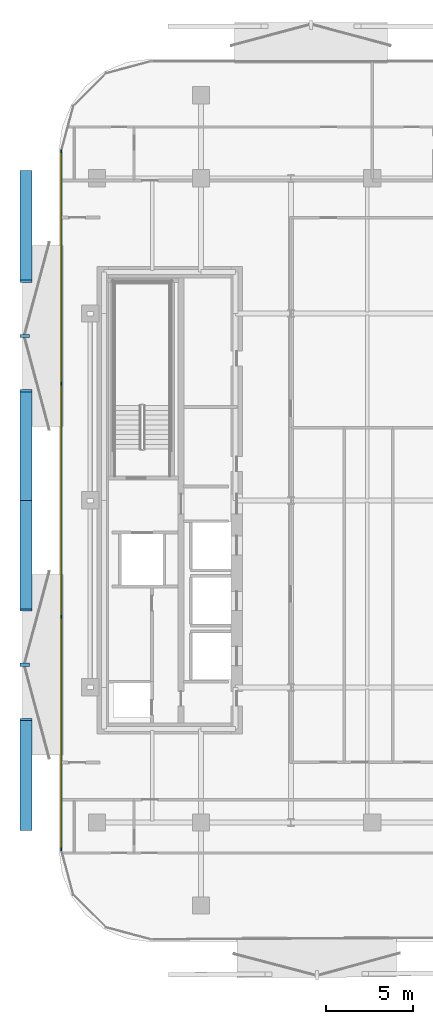
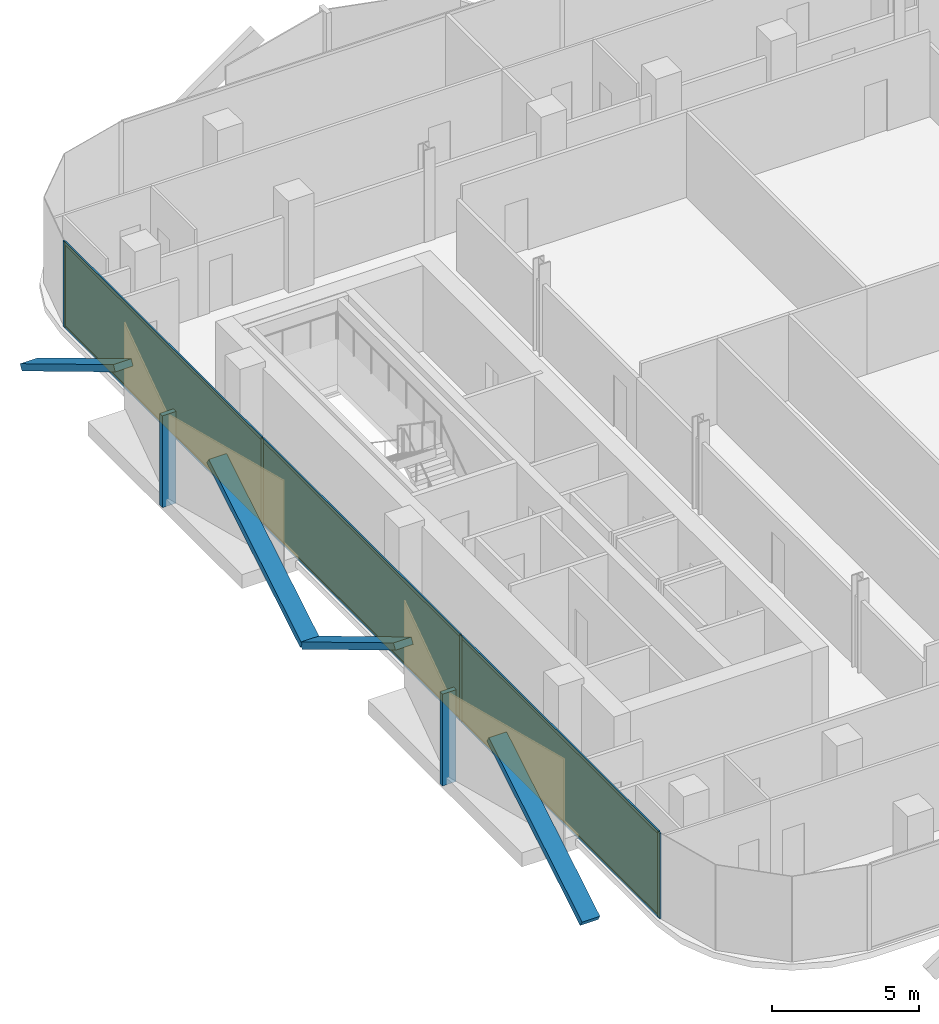
# One storey, part 9 of 16: 16 members, 3 plates, 1 curtain wall.
"""IFC4 building model written with IfcOpenShell, lengths in metres."""

from ifc_helpers import new_model, si_unit, direction, frame, frame_2d, origin, origin_2d, place, context, subcontext, project, spatial, rectangle, extrude, material, layer, layer_set, material_profile, profile_set, type_object, element, aggregate, save


model = new_model("IFC4")

# Units and contexts
model_context = context("Model", 3, precision=1e-05, world=origin(), true_north=direction((0.0, 1.0)))
body_context = subcontext(model_context, "Body", "Model", "MODEL_VIEW")
ifc_project = project(units=[si_unit("LENGTHUNIT", "METRE"), si_unit("AREAUNIT", "SQUARE_METRE"), si_unit("VOLUMEUNIT", "CUBIC_METRE"), si_unit("PLANEANGLEUNIT", "RADIAN"), si_unit("MASSUNIT", "GRAM", prefix="KILO")], contexts=[model_context])

# Member
ifc_material_1 = material(Name="Anodised Bronze Aluminium 6063-T6", Category="aluminium")
ifc_material_profile_1 = material_profile(ifc_material_1, rectangle(XDim=0.260009765625, YDim=0.699951171875, at=origin_2d()))
ifc_profile_set_1 = profile_set([ifc_material_profile_1], Name="Anodised Bronze Aluminium 6063-T6")
member_type_1 = type_object("IfcMemberType", Name="Bronze Diamond Solar-Screen Lattice Rib BDL-700", PredefinedType="MULLION", material=ifc_profile_set_1)
site_placement = place(None, origin())
building_placement = place(site_placement, origin())
storey_placement = place(building_placement, frame((0.0, 0.0, 206.800048828125)))
member_1_placement = place(storey_placement, frame((-24.5, -18.99072265625, -0.130126953125), z_axis=(0.0, 0.857382035675, 0.514680527027), x_axis=(0.0, -0.514680527027, 0.857382035675)))
member_1 = element("IfcMember", 1, at=member_1_placement, type_object=member_type_1, Name="L48 Bronze Diamond Solar Screen Lattice Rib 323A", PredefinedType="MULLION", context=body_context, shape_type="SweptSolid", body=[
    extrude(rectangle(XDim=0.260009765625, YDim=0.699951171875, at=origin_2d()), origin(), (0.0, 0.0, 1.0), 7.38330078125),
])

member_2_placement = place(storey_placement, frame((-24.5, 0.0, -0.130126953125), z_axis=(0.0, -0.857382035675, 0.514680527027), x_axis=(0.0, 0.514680527027, 0.857382035675)))
member_2 = element("IfcMember", 2, at=member_2_placement, type_object=member_type_1, Name="L48 Bronze Diamond Solar Screen Lattice Rib 323B", PredefinedType="MULLION", context=body_context, shape_type="SweptSolid", body=[
    extrude(rectangle(XDim=0.260009765625, YDim=0.699951171875, at=origin_2d()), origin(), (0.0, 0.0, 1.0), 7.38330078125),
])

member_3_placement = place(storey_placement, frame((-24.5, 0.0, -0.130126953125), z_axis=(0.0, 0.857382035675, 0.514680527027), x_axis=(0.0, -0.514680527027, 0.857382035675)))
member_3 = element("IfcMember", 3, at=member_3_placement, type_object=member_type_1, Name="L48 Bronze Diamond Solar Screen Lattice Rib 324A", PredefinedType="MULLION", context=body_context, shape_type="SweptSolid", body=[
    extrude(rectangle(XDim=0.260009765625, YDim=0.699951171875, at=origin_2d()), origin(), (0.0, 0.0, 1.0), 7.38330078125),
])

member_4_placement = place(storey_placement, frame((-24.5, 18.99072265625, -0.130126953125), z_axis=(0.0, -0.857382035675, 0.514680527027), x_axis=(0.0, 0.514680527027, 0.857382035675)))
member_4 = element("IfcMember", 4, at=member_4_placement, type_object=member_type_1, Name="L48 Bronze Diamond Solar Screen Lattice Rib 324B", PredefinedType="MULLION", context=body_context, shape_type="SweptSolid", body=[
    extrude(rectangle(XDim=0.260009765625, YDim=0.699951171875, at=origin_2d()), origin(), (0.0, 0.0, 1.0), 7.38330078125),
])

ifc_material_2 = material(Name="Anodised Bronze Aluminium 6063-T6", Category="aluminium")
ifc_material_profile_2 = material_profile(ifc_material_2, rectangle(XDim=0.179931640625, YDim=0.5400390625, at=origin_2d()))
ifc_profile_set_2 = profile_set([ifc_material_profile_2], Name="Anodised Bronze Aluminium 6063-T6")
member_type_2 = type_object("IfcMemberType", Name="Bronze Solar-Screen Vertical Fold Fin BSF-540", PredefinedType="MULLION", material=ifc_profile_set_2)
member_5_placement = place(storey_placement, frame((-24.580078125, -9.495361328125, -0.130126953125), z_axis=(0.0, 0.0, 1.0), x_axis=(0.0, 1.0, 0.0)))
member_5 = element("IfcMember", 5, at=member_5_placement, type_object=member_type_2, Name="L48 Bronze Solar Screen Vertical Fin 323", PredefinedType="MULLION", context=body_context, shape_type="SweptSolid", body=[
    extrude(rectangle(XDim=0.179931640625, YDim=0.5400390625, at=origin_2d()), origin(), (0.0, 0.0, 1.0), 3.800048828125),
])

member_6_placement = place(storey_placement, frame((-24.580078125, 9.495361328125, -0.130126953125), z_axis=(0.0, 0.0, 1.0), x_axis=(0.0, 1.0, 0.0)))
member_6 = element("IfcMember", 6, at=member_6_placement, type_object=member_type_2, Name="L48 Bronze Solar Screen Vertical Fin 324", PredefinedType="MULLION", context=body_context, shape_type="SweptSolid", body=[
    extrude(rectangle(XDim=0.179931640625, YDim=0.5400390625, at=origin_2d()), origin(), (0.0, 0.0, 1.0), 3.800048828125),
])

ifc_material_3 = material(Name="Anodised Bronze Aluminium 6063-T6", Category="aluminium")
ifc_material_profile_3 = material_profile(ifc_material_3, rectangle(XDim=0.06005859375, YDim=0.1650390625, at=origin_2d()))
ifc_profile_set_3 = profile_set([ifc_material_profile_3], Name="Anodised Bronze Aluminium 6063-T6")
member_type_3 = type_object("IfcMemberType", Name="CW-Z3 Mullion 60x165", PredefinedType="MULLION", material=ifc_profile_set_3)
member_7_placement = place(storey_placement, frame((-22.4599609375, -20.160888671875, 0.0), z_axis=(0.0, 0.0, 1.0), x_axis=(-1.0, 0.0, 0.0)))
member_7 = element("IfcMember", 7, at=member_7_placement, type_object=member_type_3, Name="CW-Z3 mullion 1", PredefinedType="MULLION", context=body_context, shape_type="SweptSolid", body=[
    extrude(rectangle(XDim=0.06005859375, YDim=0.1650390625, at=origin_2d()), origin(), (0.0, 0.0, 1.0), 3.5400390625),
])

member_8_placement = place(storey_placement, frame((-22.4599609375, -6.730224609375, 0.0), z_axis=(0.0, 0.0, 1.0), x_axis=(-1.0, 0.0, 0.0)))
member_8 = element("IfcMember", 8, at=member_8_placement, type_object=member_type_3, Name="CW-Z3 mullion 2", PredefinedType="MULLION", context=body_context, shape_type="SweptSolid", body=[
    extrude(rectangle(XDim=0.06005859375, YDim=0.1650390625, at=origin_2d()), origin(), (0.0, 0.0, 1.0), 3.5400390625),
])

member_9_placement = place(storey_placement, frame((-22.4599609375, 6.730224609375, 0.0), z_axis=(0.0, 0.0, 1.0), x_axis=(-1.0, 0.0, 0.0)))
member_9 = element("IfcMember", 9, at=member_9_placement, type_object=member_type_3, Name="CW-Z3 mullion 3", PredefinedType="MULLION", context=body_context, shape_type="SweptSolid", body=[
    extrude(rectangle(XDim=0.06005859375, YDim=0.1650390625, at=origin_2d()), origin(), (0.0, 0.0, 1.0), 3.5400390625),
])

member_10_placement = place(storey_placement, frame((-22.4599609375, 20.160888671875, 0.0), z_axis=(0.0, 0.0, 1.0), x_axis=(-1.0, 0.0, 0.0)))
member_10 = element("IfcMember", 10, at=member_10_placement, type_object=member_type_3, Name="CW-Z3 mullion 4", PredefinedType="MULLION", context=body_context, shape_type="SweptSolid", body=[
    extrude(rectangle(XDim=0.06005859375, YDim=0.1650390625, at=origin_2d()), origin(), (0.0, 0.0, 1.0), 3.5400390625),
])

ifc_material_4 = material(Name="Anodised Bronze Aluminium 6063-T6", Category="aluminium")
ifc_material_profile_4 = material_profile(ifc_material_4, rectangle(XDim=0.06005859375, YDim=0.1298828125, at=origin_2d()))
ifc_profile_set_4 = profile_set([ifc_material_profile_4], Name="Anodised Bronze Aluminium 6063-T6")
member_type_4 = type_object("IfcMemberType", Name="CW-Z3 Transom 60x130", PredefinedType="USERDEFINED", material=ifc_profile_set_4)
member_11_placement = place(storey_placement, frame((-22.4599609375, -20.130859375, 0.030029296875), z_axis=(0.0, 1.0, 0.0), x_axis=(-1.0, 0.0, 0.0)))
member_11 = element("IfcMember", 11, at=member_11_placement, type_object=member_type_4, Name="CW-Z3 transom 1.1", ObjectType="TRANSOM", PredefinedType="USERDEFINED", context=body_context, shape_type="SweptSolid", body=[
    extrude(rectangle(XDim=0.06005859375, YDim=0.1298828125, at=origin_2d()), origin(), (0.0, 0.0, 1.0), 13.37060546875),
])

member_12_placement = place(storey_placement, frame((-22.4599609375, -20.130859375, 3.510009765625), z_axis=(0.0, 1.0, 0.0), x_axis=(-1.0, 0.0, 0.0)))
member_12 = element("IfcMember", 12, at=member_12_placement, type_object=member_type_4, Name="CW-Z3 transom 1.2", ObjectType="TRANSOM", PredefinedType="USERDEFINED", context=body_context, shape_type="SweptSolid", body=[
    extrude(rectangle(XDim=0.06005859375, YDim=0.1298828125, at=origin_2d()), origin(), (0.0, 0.0, 1.0), 13.37060546875),
])

member_13_placement = place(storey_placement, frame((-22.4599609375, -6.7001953125, 0.030029296875), z_axis=(0.0, 1.0, 0.0), x_axis=(-1.0, 0.0, 0.0)))
member_13 = element("IfcMember", 13, at=member_13_placement, type_object=member_type_4, Name="CW-Z3 transom 2.1", ObjectType="TRANSOM", PredefinedType="USERDEFINED", context=body_context, shape_type="SweptSolid", body=[
    extrude(rectangle(XDim=0.06005859375, YDim=0.1298828125, at=origin_2d()), origin(), (0.0, 0.0, 1.0), 13.400390625),
])

member_14_placement = place(storey_placement, frame((-22.4599609375, -6.7001953125, 3.510009765625), z_axis=(0.0, 1.0, 0.0), x_axis=(-1.0, 0.0, 0.0)))
member_14 = element("IfcMember", 14, at=member_14_placement, type_object=member_type_4, Name="CW-Z3 transom 2.2", ObjectType="TRANSOM", PredefinedType="USERDEFINED", context=body_context, shape_type="SweptSolid", body=[
    extrude(rectangle(XDim=0.06005859375, YDim=0.1298828125, at=origin_2d()), origin(), (0.0, 0.0, 1.0), 13.400390625),
])

member_15_placement = place(storey_placement, frame((-22.4599609375, 6.76025390625, 0.030029296875), z_axis=(0.0, 1.0, 0.0), x_axis=(-1.0, 0.0, 0.0)))
member_15 = element("IfcMember", 15, at=member_15_placement, type_object=member_type_4, Name="CW-Z3 transom 3.1", ObjectType="TRANSOM", PredefinedType="USERDEFINED", context=body_context, shape_type="SweptSolid", body=[
    extrude(rectangle(XDim=0.06005859375, YDim=0.1298828125, at=origin_2d()), origin(), (0.0, 0.0, 1.0), 13.37060546875),
])

member_16_placement = place(storey_placement, frame((-22.4599609375, 6.76025390625, 3.510009765625), z_axis=(0.0, 1.0, 0.0), x_axis=(-1.0, 0.0, 0.0)))
member_16 = element("IfcMember", 16, at=member_16_placement, type_object=member_type_4, Name="CW-Z3 transom 3.2", ObjectType="TRANSOM", PredefinedType="USERDEFINED", context=body_context, shape_type="SweptSolid", body=[
    extrude(rectangle(XDim=0.06005859375, YDim=0.1298828125, at=origin_2d()), origin(), (0.0, 0.0, 1.0), 13.37060546875),
])

# Plate
ifc_material_5 = material(Name="Low-E Solar Control Laminated Glass", Category="glass")
ifc_layer_1 = layer(ifc_material_5, 0.030029296875, Name="Low-E Solar Control Laminated Glass")
ifc_layer_set_1 = layer_set([ifc_layer_1], Name="Low-E Solar Control Laminated Glass")
plate_type = type_object("IfcPlateType", Name="CW-Z3 Low-E Double Glazed Panel 30mm", PredefinedType="CURTAIN_PANEL", material=ifc_layer_set_1)
plate_1_placement = place(storey_placement, frame((-22.4599609375, -13.445556640625, 0.06005859375), z_axis=(0.0, 0.0, 1.0), x_axis=(0.0, 1.0, 0.0)))
plate_1 = element("IfcPlate", 17, at=plate_1_placement, type_object=plate_type, Name="CW-Z3 panel 1.1", PredefinedType="CURTAIN_PANEL", context=body_context, shape_type="SweptSolid", body=[
    extrude(rectangle(XDim=13.37060546875, YDim=0.030029296875, at=origin_2d()), origin(), (0.0, 0.0, 1.0), 3.419921875),
])

plate_2_placement = place(storey_placement, frame((-22.4599609375, 0.0, 0.06005859375), z_axis=(0.0, 0.0, 1.0), x_axis=(0.0, 1.0, 0.0)))
plate_2 = element("IfcPlate", 18, at=plate_2_placement, type_object=plate_type, Name="CW-Z3 panel 2.1", PredefinedType="CURTAIN_PANEL", context=body_context, shape_type="SweptSolid", body=[
    extrude(rectangle(XDim=13.400634765625, YDim=0.030029296875, at=origin_2d()), origin(), (0.0, 0.0, 1.0), 3.419921875),
])

plate_3_placement = place(storey_placement, frame((-22.4599609375, 13.445556640625, 0.06005859375), z_axis=(0.0, 0.0, 1.0), x_axis=(0.0, 1.0, 0.0)))
plate_3 = element("IfcPlate", 19, at=plate_3_placement, type_object=plate_type, Name="CW-Z3 panel 3.1", PredefinedType="CURTAIN_PANEL", context=body_context, shape_type="SweptSolid", body=[
    extrude(rectangle(XDim=13.37060546875, YDim=0.030029296875, at=origin_2d()), origin(), (0.0, 0.0, 1.0), 3.419921875),
])

# Site, building, storey
site = spatial("IfcSite", under=ifc_project, at=site_placement, CompositionType="ELEMENT")
building = spatial("IfcBuilding", under=site, at=building_placement, Name="Khairoan Windgate Tower", CompositionType="ELEMENT")
storey = spatial("IfcBuildingStorey", under=building, at=storey_placement, Name="L48", CompositionType="ELEMENT", Elevation=206.800048828125)

# Curtain wall
ifc_material_6 = material(Name="Anodised Bronze Aluminium 6063-T6", Category="aluminium")
ifc_layer_2 = layer(ifc_material_6, 0.1650390625, Name="Anodised Bronze Aluminium 6063-T6")
ifc_layer_set_2 = layer_set([ifc_layer_2], Name="Anodised Bronze Aluminium 6063-T6")
curtain_wall_type = type_object("IfcCurtainWallType", Name="Luxury Hotel Acoustic Curtain Wall CW-Z3", PredefinedType="NOTDEFINED", material=ifc_layer_set_2)
curtain_wall_placement = place(storey_placement, frame((-22.4599609375, -20.19091796875, 0.0), z_axis=(0.0, 0.0, 1.0), x_axis=(0.0, 1.0, 0.0)))
curtain_wall = element("IfcCurtainWall", 20, at=curtain_wall_placement, inside=storey, type_object=curtain_wall_type, Name="L48 Unitised Curtain Wall 5", PredefinedType="NOTDEFINED", context=body_context, shape_type="SweptSolid", body=[
    extrude(rectangle(XDim=40.3818359375, YDim=0.010009765625, at=frame_2d((20.19091796875, 0.0))), origin(), (0.0, 0.0, 1.0), 3.5400390625),
])

aggregate(curtain_wall, [member_7, member_8, member_9, member_10, member_11, member_12, plate_1, member_13, member_14, plate_2, member_15, member_16, plate_3, member_1, member_2, member_5, member_3, member_4, member_6])

save(model, "model.ifc")
